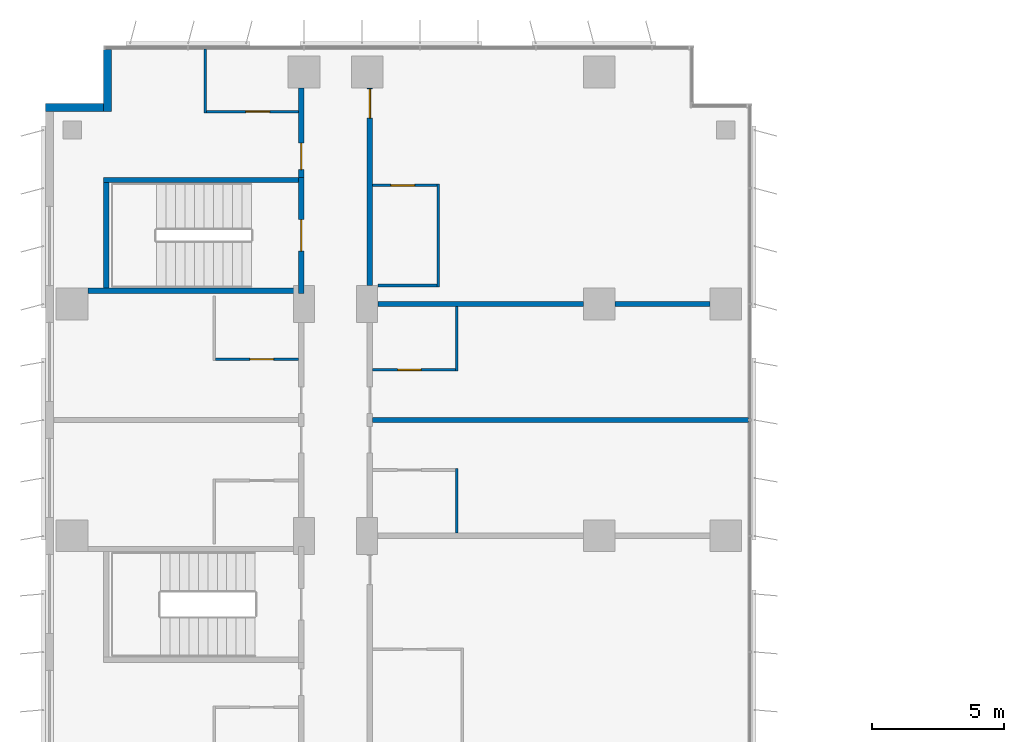
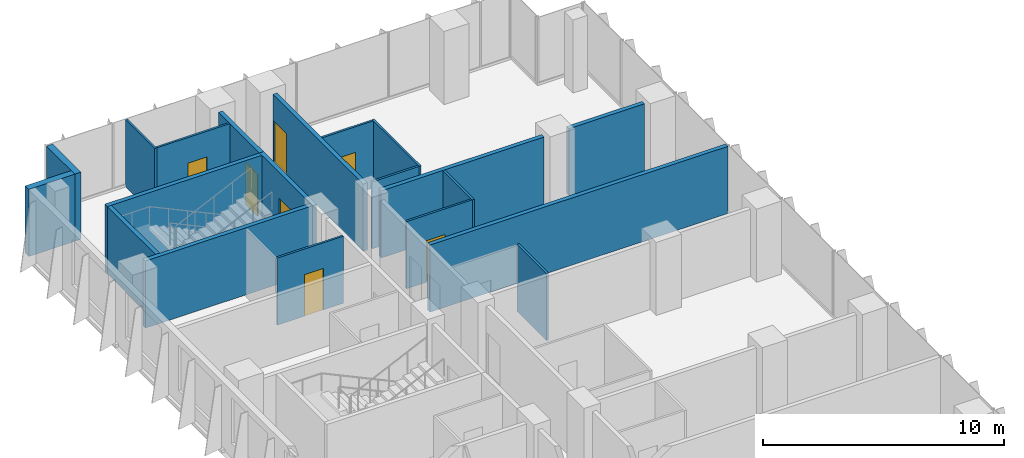
# One storey, part 18 of 23: 20 walls, 7 doors, 7 openings.
"""IFC4 building model written with IfcOpenShell, lengths in metres."""

from ifc_helpers import new_model, si_unit, direction, frame, frame_2d, origin, place, context, subcontext, project, spatial, rectangle, extrude, material, layer, layer_set, type_object, element, fill, save


model = new_model("IFC4")

# Units and contexts
model_context = context("Model", 3, precision=1e-05, world=origin(), true_north=direction((0.0, 1.0)))
body_context = subcontext(model_context, "Body", "Model", "MODEL_VIEW")
ifc_project = project(units=[si_unit("LENGTHUNIT", "METRE"), si_unit("AREAUNIT", "SQUARE_METRE"), si_unit("VOLUMEUNIT", "CUBIC_METRE"), si_unit("PLANEANGLEUNIT", "RADIAN"), si_unit("MASSUNIT", "GRAM", prefix="KILO")], contexts=[model_context])

# Site, building, storey
site_placement = place(None, origin())
site = spatial("IfcSite", under=ifc_project, at=site_placement, CompositionType="ELEMENT")
building_placement = place(site_placement, origin())
building = spatial("IfcBuilding", under=site, at=building_placement, Name="Kemantara Hotel Tower", CompositionType="ELEMENT")
storey_placement = place(building_placement, frame((0.0, 0.0, 114.800048828125)))
storey = spatial("IfcBuildingStorey", under=building, at=storey_placement, Name="L27", CompositionType="ELEMENT", Elevation=114.800048828125)

# Walls
ifc_material_1 = material(Name="Bronze anodised aluminium cladding on insulated steel stud wall", Category="steel")
ifc_layer_1 = layer(ifc_material_1, 0.300048828125)
ifc_layer_set_1 = layer_set([ifc_layer_1], Name="Bronze anodised aluminium cladding on insulated steel stud wall")
wall_type_1 = type_object("IfcWallType", Name="BRONZE METAL-CLAD EXTERNAL WALL 300", PredefinedType="STANDARD", material=ifc_layer_set_1)
wall_1_placement = place(storey_placement, frame((2.35009765625, 81.050048828125, 0.0), z_axis=(0.0, 0.0, 1.0), x_axis=(0.0, -1.0, 0.0)))
element("IfcWall", 1, at=wall_1_placement, inside=storey, type_object=wall_type_1, Name="EXTERNAL WALL L27 T2-R02", PredefinedType="STANDARD", context=body_context, shape_type="SweptSolid", body=[
    extrude(rectangle(XDim=2.35009765625, YDim=0.300048828125, at=frame_2d((1.175048828125, 0.0))), origin(), (0.0, 0.0, 1.0), 3.39990234375),
])
wall_2_placement = place(storey_placement, frame((2.199951171875, 78.85009765625, 0.0), z_axis=(0.0, 0.0, 1.0), x_axis=(-1.0, 0.0, 0.0)))
element("IfcWall", 2, at=wall_2_placement, inside=storey, type_object=wall_type_1, Name="EXTERNAL WALL L27 T2-R03", PredefinedType="STANDARD", context=body_context, shape_type="SweptSolid", body=[
    extrude(rectangle(XDim=2.199951171875, YDim=0.300048828125, at=frame_2d((1.10009765625, 0.0))), origin(), (0.0, 0.0, 1.0), 3.39990234375),
])

# Wall, opening, door
ifc_material_2 = material(Name="Gypsum board partition, steel studs and mineral wool, 200 mm", Category="steel")
ifc_layer_2 = layer(ifc_material_2, 0.199951171875)
ifc_layer_set_2 = layer_set([ifc_layer_2], Name="Gypsum board partition, steel studs and mineral wool, 200 mm")
wall_type_2 = type_object("IfcWallType", Name="CORRIDOR WALL 200", PredefinedType="PARTITIONING", material=ifc_layer_set_2)
wall_3_placement = place(storey_placement, frame((9.699951171875, 76.199951171875, 0.0), z_axis=(0.0, 0.0, 1.0), x_axis=(0.0, 1.0, 0.0)))
wall_3 = element("IfcWall", 3, at=wall_3_placement, inside=storey, type_object=wall_type_2, Name="CORRIDOR WALL 200 026", PredefinedType="PARTITIONING", context=body_context, shape_type="SweptSolid", body=[
    extrude(rectangle(XDim=3.39990234375, YDim=0.199951171875, at=frame_2d((1.699951171875, 0.0))), origin(), (0.0, 0.0, 1.0), 3.39990234375),
])
opening_1_placement = place(wall_3_placement, frame((0.300048828125, 0.0, 0.0)))
opening_1 = element("IfcOpeningElement", 4, at=opening_1_placement, cuts=wall_3, Name="Opening F12-043", PredefinedType="OPENING", context=body_context, shape_type="SweptSolid", body=[
    extrude(rectangle(XDim=1.0, YDim=2.10009765625, at=frame_2d((0.5, 1.050048828125))), frame((0.0, 0.10986328125, 0.0), z_axis=(0.0, -1.0, 0.0), x_axis=(1.0, 0.0, 0.0)), (0.0, 0.0, 1.0), 0.219970703125),
])
ifc_material_3 = material(Name="Hardwood veneer door leaf with steel frame", Category="steel")
door_type_1 = type_object("IfcDoorType", Name="GUEST ROOM DOOR 1000 X 2100 FD30S", OperationType="NOTDEFINED", PredefinedType="DOOR", material=ifc_material_3)
door_1_placement = place(opening_1_placement, origin())
door_1 = element("IfcDoor", 5, at=door_1_placement, inside=storey, type_object=door_type_1, Name="GUEST ROOM DOOR F12-043", OperationType="SINGLE_SWING_LEFT", OverallHeight=2.10009765625, OverallWidth=1.0, PredefinedType="DOOR", context=body_context, shape_type="SweptSolid", body=[
    extrude(rectangle(XDim=1.0, YDim=2.10009765625, at=frame_2d((0.5, 1.050048828125))), frame((0.0, 0.02490234375, 0.0), z_axis=(0.0, -1.0, 0.0), x_axis=(1.0, 0.0, 0.0)), (0.0, 0.0, 1.0), 0.050048828125),
])
fill(opening_1, door_1)

wall_4_placement = place(storey_placement, frame((12.300048828125, 79.599853515625, 0.0), z_axis=(0.0, 0.0, 1.0), x_axis=(0.0, -1.0, 0.0)))
wall_4 = element("IfcWall", 6, at=wall_4_placement, inside=storey, type_object=wall_type_2, Name="CORRIDOR WALL 200 050", PredefinedType="PARTITIONING", context=body_context, shape_type="SweptSolid", body=[
    extrude(rectangle(XDim=7.499755859375, YDim=0.199951171875, at=frame_2d((3.75, 0.0))), origin(), (0.0, 0.0, 1.0), 3.39990234375),
])
opening_2_placement = place(wall_4_placement, frame((0.0498046875, 0.0, 0.0)))
opening_2 = element("IfcOpeningElement", 7, at=opening_2_placement, cuts=wall_4, Name="Opening F12-061", PredefinedType="OPENING", context=body_context, shape_type="SweptSolid", body=[
    extrude(rectangle(XDim=1.10009765625, YDim=2.10009765625, at=frame_2d((0.550048828125, 1.050048828125))), frame((0.0, 0.10986328125, 0.0), z_axis=(0.0, -1.0, 0.0), x_axis=(1.0, 0.0, 0.0)), (0.0, 0.0, 1.0), 0.219970703125),
])
door_type_2 = type_object("IfcDoorType", Name="SUITE ENTRANCE DOOR 1100 X 2100 FD30S", OperationType="NOTDEFINED", PredefinedType="DOOR", material=ifc_material_3)
door_2_placement = place(opening_2_placement, origin())
door_2 = element("IfcDoor", 8, at=door_2_placement, inside=storey, type_object=door_type_2, Name="SUITE ENTRANCE DOOR F12-061", OperationType="SINGLE_SWING_LEFT", OverallHeight=2.10009765625, OverallWidth=1.10009765625, PredefinedType="DOOR", context=body_context, shape_type="SweptSolid", body=[
    extrude(rectangle(XDim=1.10009765625, YDim=2.10009765625, at=frame_2d((0.550048828125, 1.050048828125))), frame((0.0, 0.02490234375, 0.0), z_axis=(0.0, -1.0, 0.0), x_axis=(1.0, 0.0, 0.0)), (0.0, 0.0, 1.0), 0.050048828125),
])
fill(opening_2, door_2)

ifc_material_4 = material(Name="Concrete fc 40 MPa", Category="concrete")
ifc_layer_3 = layer(ifc_material_4, 0.199951171875)
ifc_layer_set_3 = layer_set([ifc_layer_3], Name="Concrete fc 40 MPa")
wall_type_3 = type_object("IfcWallType", Name="Concrete stair wall 200 mm", PredefinedType="SHEAR", material=ifc_layer_set_3)
wall_5_placement = place(storey_placement, frame((9.699951171875, 71.800048828125, 0.0), z_axis=(0.0, 0.0, 1.0), x_axis=(0.0, 1.0, 0.0)))
wall_5 = element("IfcWall", 9, at=wall_5_placement, inside=storey, type_object=wall_type_3, Name="Stair ST6 enclosure wall with door", PredefinedType="SHEAR", context=body_context, shape_type="SweptSolid", body=[
    extrude(rectangle(XDim=4.39990234375, YDim=0.199951171875, at=frame_2d((2.199951171875, 0.0))), origin(), (0.0, 0.0, 1.0), 3.39990234375),
])
opening_3_placement = place(wall_5_placement, frame((1.60009765625, 0.0, 0.0)))
opening_3 = element("IfcOpeningElement", 10, at=opening_3_placement, cuts=wall_5, Name="Opening ST6-C", PredefinedType="OPENING", context=body_context, shape_type="SweptSolid", body=[
    extrude(rectangle(XDim=1.199951171875, YDim=2.10009765625, at=frame_2d((0.60009765625, 1.050048828125))), frame((0.0, 0.10986328125, 0.0), z_axis=(0.0, -1.0, 0.0), x_axis=(1.0, 0.0, 0.0)), (0.0, 0.0, 1.0), 0.219970703125),
])
ifc_material_5 = material(Name="Steel fire door", Category="steel")
door_type_3 = type_object("IfcDoorType", Name="Fire door FD90 1200 x 2100", OperationType="NOTDEFINED", PredefinedType="DOOR", material=ifc_material_5)
door_3_placement = place(opening_3_placement, origin())
door_3 = element("IfcDoor", 11, at=door_3_placement, inside=storey, type_object=door_type_3, Name="Stair ST6 door", OperationType="SINGLE_SWING_RIGHT", OverallHeight=2.10009765625, OverallWidth=1.199951171875, PredefinedType="DOOR", context=body_context, shape_type="SweptSolid", body=[
    extrude(rectangle(XDim=1.199951171875, YDim=2.10009765625, at=frame_2d((0.60009765625, 1.050048828125))), frame((0.0, 0.02490234375, 0.0), z_axis=(0.0, -1.0, 0.0), x_axis=(1.0, 0.0, 0.0)), (0.0, 0.0, 1.0), 0.050048828125),
])
fill(opening_3, door_3)

# Walls
wall_6_placement = place(storey_placement, frame((2.199951171875, 76.10009765625, 0.0), z_axis=(0.0, 0.0, 1.0), x_axis=(1.0, 0.0, 0.0)))
element("IfcWall", 12, at=wall_6_placement, inside=storey, type_object=wall_type_3, Name="Stair ST6 enclosure wall N", PredefinedType="SHEAR", context=body_context, shape_type="SweptSolid", body=[
    extrude(rectangle(XDim=7.400146484375, YDim=0.199951171875, at=frame_2d((3.7001953125, 0.0))), origin(), (0.0, 0.0, 1.0), 3.39990234375),
])
wall_7_placement = place(storey_placement, frame((1.60009765625, 71.89990234375, 0.0), z_axis=(0.0, 0.0, 1.0), x_axis=(1.0, 0.0, 0.0)))
element("IfcWall", 13, at=wall_7_placement, inside=storey, type_object=wall_type_3, Name="Stair ST6 enclosure wall S", PredefinedType="SHEAR", context=body_context, shape_type="SweptSolid", body=[
    extrude(rectangle(XDim=8.0, YDim=0.199951171875, at=frame_2d((4.0, 0.0))), origin(), (0.0, 0.0, 1.0), 3.39990234375),
])
wall_8_placement = place(storey_placement, frame((2.300048828125, 72.0, 0.0), z_axis=(0.0, 0.0, 1.0), x_axis=(0.0, 1.0, 0.0)))
element("IfcWall", 14, at=wall_8_placement, inside=storey, type_object=wall_type_3, Name="Stair ST6 enclosure wall W", PredefinedType="SHEAR", context=body_context, shape_type="SweptSolid", body=[
    extrude(rectangle(XDim=4.0, YDim=0.199951171875, at=frame_2d((2.0, 0.0))), origin(), (0.0, 0.0, 1.0), 3.39990234375),
])
ifc_layer_4 = layer(ifc_material_2, 0.199951171875)
ifc_layer_set_4 = layer_set([ifc_layer_4], Name="Gypsum board partition, steel studs and mineral wool, 200 mm")
wall_type_4 = type_object("IfcWallType", Name="GUEST ROOM PARTY WALL 200", PredefinedType="PARTITIONING", material=ifc_layer_set_4)
wall_9_placement = place(storey_placement, frame((12.39990234375, 67.0, 0.0), z_axis=(0.0, 0.0, 1.0), x_axis=(1.0, 0.0, 0.0)))
element("IfcWall", 15, at=wall_9_placement, inside=storey, type_object=wall_type_4, Name="GUEST ROOM PARTY WALL 200 043", PredefinedType="PARTITIONING", context=body_context, shape_type="SweptSolid", body=[
    extrude(rectangle(XDim=14.27001953125, YDim=0.199951171875, at=frame_2d((7.135009765625, 0.0))), origin(), (0.0, 0.0, 1.0), 3.39990234375),
])
wall_10_placement = place(storey_placement, frame((12.60009765625, 71.39990234375, 0.0), z_axis=(0.0, 0.0, 1.0), x_axis=(1.0, 0.0, 0.0)))
element("IfcWall", 16, at=wall_10_placement, inside=storey, type_object=wall_type_4, Name="GUEST ROOM PARTY WALL 200 055", PredefinedType="PARTITIONING", context=body_context, shape_type="SweptSolid", body=[
    extrude(rectangle(XDim=7.7998046875, YDim=0.199951171875, at=frame_2d((3.89990234375, 0.0))), origin(), (0.0, 0.0, 1.0), 3.39990234375),
])
wall_11_placement = place(storey_placement, frame((21.60009765625, 71.39990234375, 0.0), z_axis=(0.0, 0.0, 1.0), x_axis=(1.0, 0.0, 0.0)))
element("IfcWall", 17, at=wall_11_placement, inside=storey, type_object=wall_type_4, Name="GUEST ROOM PARTY WALL 200 056", PredefinedType="PARTITIONING", context=body_context, shape_type="SweptSolid", body=[
    extrude(rectangle(XDim=3.599853515625, YDim=0.199951171875, at=frame_2d((1.7998046875, 0.0))), origin(), (0.0, 0.0, 1.0), 3.39990234375),
])
ifc_material_6 = material(Name="Gypsum board partition on steel studs, 100 mm", Category="steel")
ifc_layer_5 = layer(ifc_material_6, 0.10009765625)
ifc_layer_set_5 = layer_set([ifc_layer_5], Name="Gypsum board partition on steel studs, 100 mm")
wall_type_5 = type_object("IfcWallType", Name="ROOM PARTITION 100", PredefinedType="PARTITIONING", material=ifc_layer_set_5)
wall_12_placement = place(storey_placement, frame((6.050048828125, 78.64990234375, 0.0), z_axis=(0.0, 0.0, 1.0), x_axis=(0.0, 1.0, 0.0)))
element("IfcWall", 18, at=wall_12_placement, inside=storey, type_object=wall_type_5, Name="ROOM PARTITION 100 078", PredefinedType="PARTITIONING", context=body_context, shape_type="SweptSolid", body=[
    extrude(rectangle(XDim=2.420166015625, YDim=0.10009765625, at=frame_2d((1.2099609375, 0.0))), origin(), (0.0, 0.0, 1.0), 3.39990234375),
])

# Wall, opening, door
wall_13_placement = place(storey_placement, frame((6.449951171875, 69.300048828125, 0.0), z_axis=(0.0, 0.0, 1.0), x_axis=(1.0, 0.0, 0.0)))
wall_13 = element("IfcWall", 19, at=wall_13_placement, inside=storey, type_object=wall_type_5, Name="ROOM PARTITION 100 105", PredefinedType="PARTITIONING", context=body_context, shape_type="SweptSolid", body=[
    extrude(rectangle(XDim=3.150146484375, YDim=0.10009765625, at=frame_2d((1.5751953125, 0.0))), origin(), (0.0, 0.0, 1.0), 3.39990234375),
])
opening_4_placement = place(wall_13_placement, frame((1.300048828125, 0.0, 0.0)))
opening_4 = element("IfcOpeningElement", 20, at=opening_4_placement, cuts=wall_13, Name="Opening F12-042", PredefinedType="OPENING", context=body_context, shape_type="SweptSolid", body=[
    extrude(rectangle(XDim=0.89990234375, YDim=2.10009765625, at=frame_2d((0.449951171875, 1.050048828125))), frame((0.0, 0.06005859375, 0.0), z_axis=(0.0, -1.0, 0.0), x_axis=(1.0, 0.0, 0.0)), (0.0, 0.0, 1.0), 0.1201171875),
])
door_type_4 = type_object("IfcDoorType", Name="BATHROOM DOOR 900 X 2100", OperationType="NOTDEFINED", PredefinedType="DOOR", material=ifc_material_3)
door_4_placement = place(opening_4_placement, origin())
door_4 = element("IfcDoor", 21, at=door_4_placement, inside=storey, type_object=door_type_4, Name="BATHROOM DOOR F12-042", OperationType="SINGLE_SWING_RIGHT", OverallHeight=2.10009765625, OverallWidth=0.89990234375, PredefinedType="DOOR", context=body_context, shape_type="SweptSolid", body=[
    extrude(rectangle(XDim=0.89990234375, YDim=2.10009765625, at=frame_2d((0.449951171875, 1.050048828125))), frame((0.0, 0.02490234375, 0.0), z_axis=(0.0, -1.0, 0.0), x_axis=(1.0, 0.0, 0.0)), (0.0, 0.0, 1.0), 0.050048828125),
])
fill(opening_4, door_4)

wall_14_placement = place(storey_placement, frame((6.10009765625, 78.699951171875, 0.0), z_axis=(0.0, 0.0, 1.0), x_axis=(1.0, 0.0, 0.0)))
wall_14 = element("IfcWall", 22, at=wall_14_placement, inside=storey, type_object=wall_type_5, Name="ROOM PARTITION 100 106", PredefinedType="PARTITIONING", context=body_context, shape_type="SweptSolid", body=[
    extrude(rectangle(XDim=3.5, YDim=0.10009765625, at=frame_2d((1.75, 0.0))), origin(), (0.0, 0.0, 1.0), 3.39990234375),
])
opening_5_placement = place(wall_14_placement, frame((1.5, 0.0, 0.0)))
opening_5 = element("IfcOpeningElement", 23, at=opening_5_placement, cuts=wall_14, Name="Opening F12-044", PredefinedType="OPENING", context=body_context, shape_type="SweptSolid", body=[
    extrude(rectangle(XDim=0.89990234375, YDim=2.10009765625, at=frame_2d((0.449951171875, 1.050048828125))), frame((0.0, 0.06005859375, 0.0), z_axis=(0.0, -1.0, 0.0), x_axis=(1.0, 0.0, 0.0)), (0.0, 0.0, 1.0), 0.1201171875),
])
door_5_placement = place(opening_5_placement, origin())
door_5 = element("IfcDoor", 24, at=door_5_placement, inside=storey, type_object=door_type_4, Name="BATHROOM DOOR F12-044", OperationType="SINGLE_SWING_RIGHT", OverallHeight=2.10009765625, OverallWidth=0.89990234375, PredefinedType="DOOR", context=body_context, shape_type="SweptSolid", body=[
    extrude(rectangle(XDim=0.89990234375, YDim=2.10009765625, at=frame_2d((0.449951171875, 1.050048828125))), frame((0.0, 0.02490234375, 0.0), z_axis=(0.0, -1.0, 0.0), x_axis=(1.0, 0.0, 0.0)), (0.0, 0.0, 1.0), 0.050048828125),
])
fill(opening_5, door_5)

# Walls
for number, where, z_axis, x_axis, name in (
    (25, (15.60009765625, 62.699951171875, 0.0), (0.0, 0.0, 1.0), (0.0, 1.0, 0.0), "ROOM PARTITION 100 113"),
    (26, (15.60009765625, 68.85009765625, 0.0), (0.0, 0.0, 1.0), (0.0, 1.0, 0.0), "ROOM PARTITION 100 114"),
):
    element("IfcWall", number, at=place(storey_placement, frame(where, z_axis=z_axis, x_axis=x_axis)), inside=storey, type_object=wall_type_5, Name=name, PredefinedType="PARTITIONING", context=body_context, shape_type="SweptSolid", body=[
        extrude(rectangle(XDim=2.449951171875, YDim=0.10009765625, at=frame_2d((1.22509765625, 0.0))), origin(), (0.0, 0.0, 1.0), 3.39990234375),
    ])

# Wall, opening, door
wall_15_placement = place(storey_placement, frame((12.39990234375, 68.89990234375, 0.0), z_axis=(0.0, 0.0, 1.0), x_axis=(1.0, 0.0, 0.0)))
wall_15 = element("IfcWall", 27, at=wall_15_placement, inside=storey, type_object=wall_type_5, Name="ROOM PARTITION 100 119", PredefinedType="PARTITIONING", context=body_context, shape_type="SweptSolid", body=[
    extrude(rectangle(XDim=3.150146484375, YDim=0.10009765625, at=frame_2d((1.5751953125, 0.0))), origin(), (0.0, 0.0, 1.0), 3.39990234375),
])
opening_6_placement = place(wall_15_placement, frame((0.949951171875, 0.0, 0.0)))
opening_6 = element("IfcOpeningElement", 28, at=opening_6_placement, cuts=wall_15, Name="Opening F12-060", PredefinedType="OPENING", context=body_context, shape_type="SweptSolid", body=[
    extrude(rectangle(XDim=0.89990234375, YDim=2.10009765625, at=frame_2d((0.449951171875, 1.050048828125))), frame((0.0, 0.06005859375, 0.0), z_axis=(0.0, -1.0, 0.0), x_axis=(1.0, 0.0, 0.0)), (0.0, 0.0, 1.0), 0.1201171875),
])
door_6_placement = place(opening_6_placement, origin())
door_6 = element("IfcDoor", 29, at=door_6_placement, inside=storey, type_object=door_type_4, Name="BATHROOM DOOR F12-060", OperationType="SINGLE_SWING_LEFT", OverallHeight=2.10009765625, OverallWidth=0.89990234375, PredefinedType="DOOR", context=body_context, shape_type="SweptSolid", body=[
    extrude(rectangle(XDim=0.89990234375, YDim=2.10009765625, at=frame_2d((0.449951171875, 1.050048828125))), frame((0.0, 0.02490234375, 0.0), z_axis=(0.0, -1.0, 0.0), x_axis=(1.0, 0.0, 0.0)), (0.0, 0.0, 1.0), 0.050048828125),
])
fill(opening_6, door_6)

# Walls
wall_16_placement = place(storey_placement, frame((14.89990234375, 72.050048828125, 0.0), z_axis=(0.0, 0.0, 1.0), x_axis=(0.0, 1.0, 0.0)))
element("IfcWall", 30, at=wall_16_placement, inside=storey, type_object=wall_type_5, Name="ROOM PARTITION 100 120", PredefinedType="PARTITIONING", context=body_context, shape_type="SweptSolid", body=[
    extrude(rectangle(XDim=3.89990234375, YDim=0.10009765625, at=frame_2d((1.949951171875, 0.0))), origin(), (0.0, 0.0, 1.0), 3.39990234375),
])
wall_17_placement = place(storey_placement, frame((12.60009765625, 72.10009765625, 0.0), z_axis=(0.0, 0.0, 1.0), x_axis=(1.0, 0.0, 0.0)))
element("IfcWall", 31, at=wall_17_placement, inside=storey, type_object=wall_type_5, Name="ROOM PARTITION 100 121", PredefinedType="PARTITIONING", context=body_context, shape_type="SweptSolid", body=[
    extrude(rectangle(XDim=2.25, YDim=0.10009765625, at=frame_2d((1.125, 0.0))), origin(), (0.0, 0.0, 1.0), 3.39990234375),
])

# Wall, opening, door
wall_18_placement = place(storey_placement, frame((14.85009765625, 75.89990234375, 0.0), z_axis=(0.0, 0.0, 1.0), x_axis=(-1.0, 0.0, 0.0)))
wall_18 = element("IfcWall", 32, at=wall_18_placement, inside=storey, type_object=wall_type_5, Name="ROOM PARTITION 100 122", PredefinedType="PARTITIONING", context=body_context, shape_type="SweptSolid", body=[
    extrude(rectangle(XDim=2.4501953125, YDim=0.10009765625, at=frame_2d((1.22509765625, 0.0))), origin(), (0.0, 0.0, 1.0), 3.39990234375),
])
opening_7_placement = place(wall_18_placement, frame((0.85009765625, 0.0, 0.0)))
opening_7 = element("IfcOpeningElement", 33, at=opening_7_placement, cuts=wall_18, Name="Opening F12-062", PredefinedType="OPENING", context=body_context, shape_type="SweptSolid", body=[
    extrude(rectangle(XDim=0.89990234375, YDim=2.10009765625, at=frame_2d((0.449951171875, 1.050048828125))), frame((0.0, 0.06005859375, 0.0), z_axis=(0.0, -1.0, 0.0), x_axis=(1.0, 0.0, 0.0)), (0.0, 0.0, 1.0), 0.1201171875),
])
door_7_placement = place(opening_7_placement, origin())
door_7 = element("IfcDoor", 34, at=door_7_placement, inside=storey, type_object=door_type_4, Name="BATHROOM DOOR F12-062", OperationType="SINGLE_SWING_RIGHT", OverallHeight=2.10009765625, OverallWidth=0.89990234375, PredefinedType="DOOR", context=body_context, shape_type="SweptSolid", body=[
    extrude(rectangle(XDim=0.89990234375, YDim=2.10009765625, at=frame_2d((0.449951171875, 1.050048828125))), frame((0.0, 0.02490234375, 0.0), z_axis=(0.0, -1.0, 0.0), x_axis=(1.0, 0.0, 0.0)), (0.0, 0.0, 1.0), 0.050048828125),
])
fill(opening_7, door_7)

save(model, "model.ifc")
